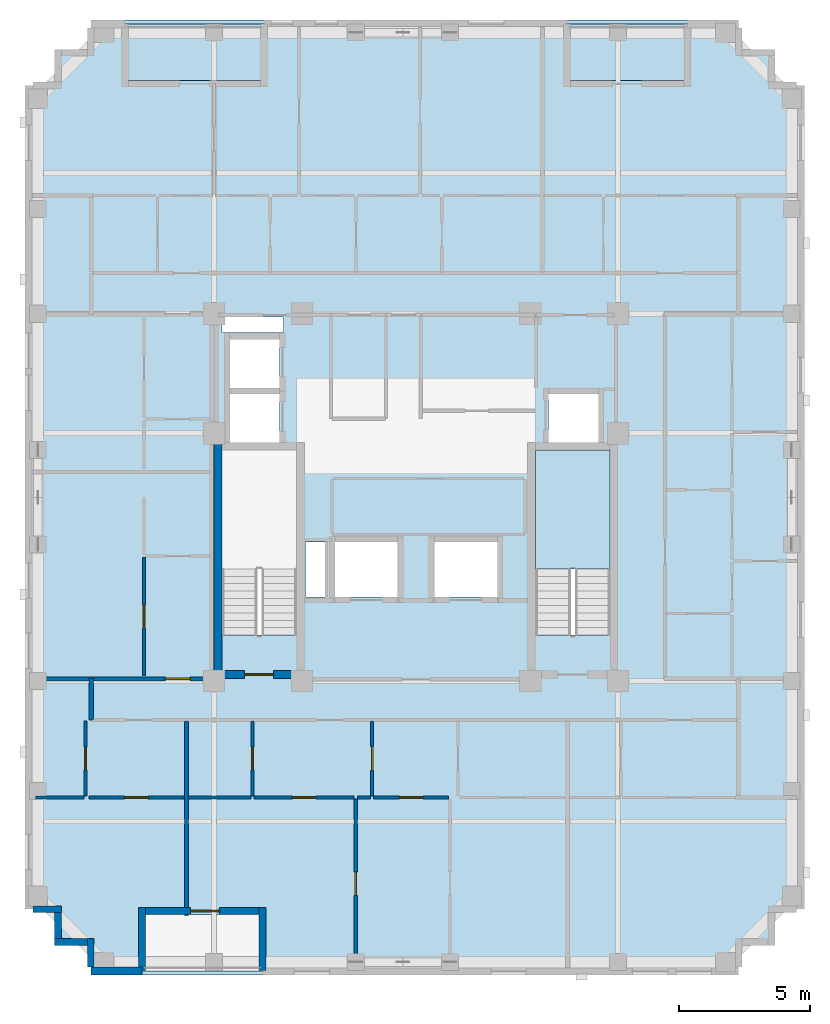
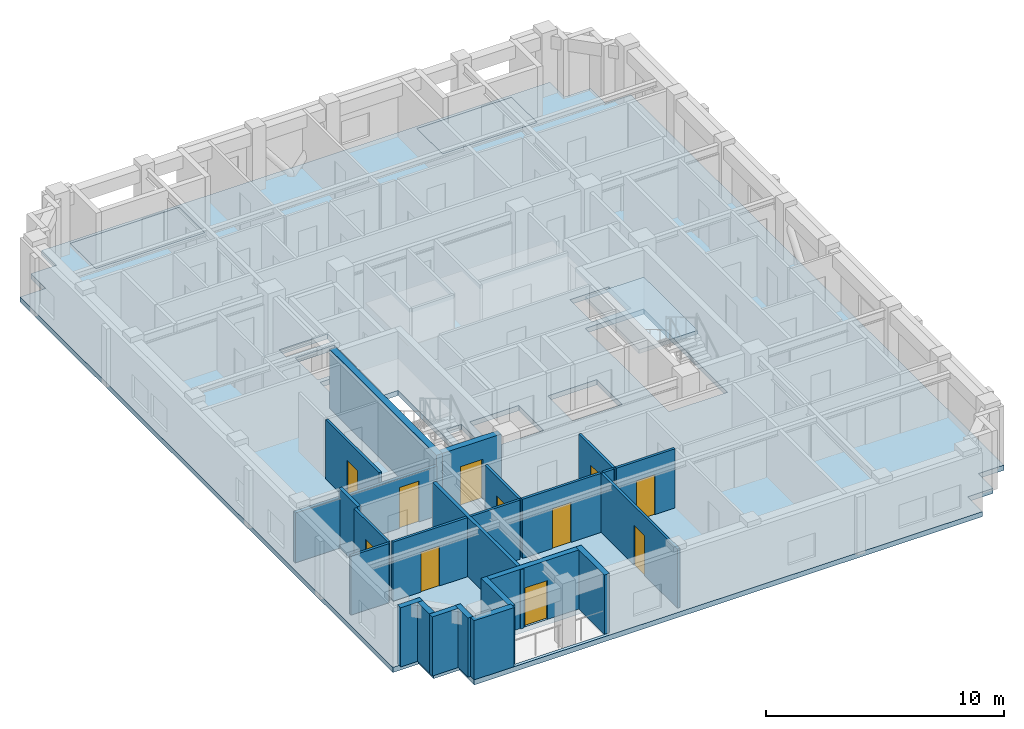
# One storey, part 2 of 10: 24 walls, 11 doors, 4 slabs, 11 openings, 1 element without a shape of its own.
"""IFC4 building model written with IfcOpenShell, lengths in metres."""

from ifc_helpers import new_model, si_unit, derived_unit, direction, frame, frame_2d, origin, place, context, subcontext, project, spatial, polyline, rectangle, outline, extrude, material, layer, layer_set, type_object, element, fill, aggregate, save


model = new_model("IFC4")

# Units and contexts
model_context = context("Model", 3, precision=1e-05, world=origin(), true_north=direction((0.0, 1.0)))
body_context = subcontext(model_context, "Body", "Model", "MODEL_VIEW")
ifc_project = project(units=[si_unit("LENGTHUNIT", "METRE"), si_unit("AREAUNIT", "SQUARE_METRE"), si_unit("VOLUMEUNIT", "CUBIC_METRE"), si_unit("PLANEANGLEUNIT", "RADIAN"), si_unit("MASSUNIT", "GRAM", prefix="KILO"), derived_unit("THERMALTRANSMITTANCEUNIT", [(si_unit("MASSUNIT", "GRAM", prefix="KILO"), 1), (si_unit("TIMEUNIT", "SECOND"), -3), (si_unit("THERMODYNAMICTEMPERATUREUNIT", "KELVIN"), -1)])], contexts=[model_context])

# Site, building, storey
site_placement = place(None, origin())
site = spatial("IfcSite", under=ifc_project, at=site_placement, CompositionType="ELEMENT")
building_placement = place(site_placement, origin())
building = spatial("IfcBuilding", under=site, at=building_placement, Name="Korrvale Station Residences", CompositionType="ELEMENT")
storey_placement = place(building_placement, frame((0.0, 0.0, 204.10009765625)))
storey = spatial("IfcBuildingStorey", under=building, at=storey_placement, Name="L59", CompositionType="ELEMENT", Elevation=204.10009765625)

# Slabs
ifc_material_1 = material(Name="Concrete C50/60", Category="concrete")
ifc_layer_1 = layer(ifc_material_1, 0.219970703125, Name="Concrete C50/60")
ifc_layer_set_1 = layer_set([ifc_layer_1], Name="Concrete C50/60")
slab_type_1 = type_object("IfcSlabType", Name="SLB-BAL-220", PredefinedType="FLOOR", material=ifc_layer_set_1)
slab_1_placement = place(storey_placement, frame((0.0, 0.0, -0.22021484375)))
element("IfcSlab", 1, at=slab_1_placement, inside=storey, type_object=slab_type_1, Name="L59 Recessed Loggia Balcony Slab BAL-L59-N1", PredefinedType="FLOOR", context=body_context, shape_type="SweptSolid", body=[
    extrude(outline(polyline([(31.25, 37.89990234375), (35.85009765625, 37.89990234375), (35.85009765625, 40.050048828125), (31.25, 40.050048828125), (31.25, 37.89990234375)])), origin(), (0.0, 0.0, 1.0), 0.22021484375),
])
slab_2_placement = place(storey_placement, frame((0.0, 0.0, -0.22021484375)))
element("IfcSlab", 2, at=slab_2_placement, inside=storey, type_object=slab_type_1, Name="L59 Recessed Loggia Balcony Slab BAL-L59-N2", PredefinedType="FLOOR", context=body_context, shape_type="SweptSolid", body=[
    extrude(outline(polyline([(14.39990234375, 37.89990234375), (19.699951171875, 37.89990234375), (19.699951171875, 40.050048828125), (14.39990234375, 40.050048828125), (14.39990234375, 37.89990234375)])), origin(), (0.0, 0.0, 1.0), 0.22021484375),
])
ifc_layer_2 = layer(ifc_material_1, 0.260009765625, Name="Concrete C50/60")
ifc_layer_set_2 = layer_set([ifc_layer_2], Name="Concrete C50/60")
slab_type_2 = type_object("IfcSlabType", Name="SLB-FLR-260", PredefinedType="FLOOR", material=ifc_layer_set_2)
slab_3_placement = place(storey_placement, frame((0.0, 0.0, -0.260009765625)))
element("IfcSlab", 3, at=slab_3_placement, inside=storey, type_object=slab_type_2, Name="L59 Suspended Structural Floor Slab", PredefinedType="FLOOR", context=body_context, shape_type="SweptSolid", body=[
    extrude(outline(polyline([(13.10009765625, 3.800048828125), (37.800048828125, 3.800048828125), (37.800048828125, 5.050048828125), (39.050048828125, 5.050048828125), (39.050048828125, 6.300048828125), (40.300048828125, 6.300048828125), (40.300048828125, 37.699951171875), (39.050048828125, 37.699951171875), (39.050048828125, 38.949951171875), (37.800048828125, 38.949951171875), (37.800048828125, 40.199951171875), (13.10009765625, 40.199951171875), (13.10009765625, 38.949951171875), (11.85009765625, 38.949951171875), (11.85009765625, 37.699951171875), (10.60009765625, 37.699951171875), (10.60009765625, 6.300048828125), (11.85009765625, 6.300048828125), (11.85009765625, 5.050048828125), (13.10009765625, 5.050048828125), (13.10009765625, 3.800048828125)]), holes=[polyline([(20.949951171875, 16.751953125), (20.949951171875, 23.800048828125), (18.10009765625, 23.800048828125), (18.10009765625, 16.751953125), (20.949951171875, 16.751953125)]), polyline([(32.89990234375, 16.751953125), (32.89990234375, 23.800048828125), (30.050048828125, 23.800048828125), (30.050048828125, 16.751953125), (32.89990234375, 16.751953125)]), polyline([(18.39990234375, 24.10009765625), (20.300048828125, 24.10009765625), (20.300048828125, 25.949951171875), (18.39990234375, 25.949951171875), (18.39990234375, 24.10009765625)]), polyline([(18.39990234375, 26.169921875), (20.300048828125, 26.169921875), (20.300048828125, 28.02001953125), (18.39990234375, 28.02001953125), (18.39990234375, 26.169921875)]), polyline([(30.550048828125, 24.10009765625), (32.449951171875, 24.10009765625), (32.449951171875, 25.949951171875), (30.550048828125, 25.949951171875), (30.550048828125, 24.10009765625)]), polyline([(22.39990234375, 18.199951171875), (24.800048828125, 18.199951171875), (24.800048828125, 20.300048828125), (22.39990234375, 20.300048828125), (22.39990234375, 18.199951171875)]), polyline([(26.199951171875, 18.199951171875), (28.60009765625, 18.199951171875), (28.60009765625, 20.300048828125), (26.199951171875, 20.300048828125), (26.199951171875, 18.199951171875)]), polyline([(18.10009765625, 28.280029296875), (20.449951171875, 28.280029296875), (20.449951171875, 28.8798828125), (18.10009765625, 28.8798828125), (18.10009765625, 28.280029296875)]), polyline([(21.280029296875, 18.199951171875), (22.02001953125, 18.199951171875), (22.02001953125, 20.300048828125), (21.280029296875, 20.300048828125), (21.280029296875, 18.199951171875)]), polyline([(15.050048828125, 3.949951171875), (19.64990234375, 3.949951171875), (19.64990234375, 6.10009765625), (15.050048828125, 6.10009765625), (15.050048828125, 3.949951171875)]), polyline([(31.25, 37.89990234375), (35.85009765625, 37.89990234375), (35.85009765625, 40.050048828125), (31.25, 40.050048828125), (31.25, 37.89990234375)]), polyline([(14.39990234375, 37.89990234375), (19.699951171875, 37.89990234375), (19.699951171875, 40.050048828125), (14.39990234375, 40.050048828125), (14.39990234375, 37.89990234375)])]), origin(), (0.0, 0.0, 1.0), 0.260009765625),
])

# Stair, slab
stair_type = type_object("IfcStairType", Name="STR-DL-1350-20R-1650", PredefinedType="HALF_TURN_STAIR", material=ifc_material_1)
stair_placement = place(storey_placement, origin())
stair = element("IfcStair", 4, at=stair_placement, inside=storey, type_object=stair_type, Name="L59 Exit Stair 2", PredefinedType="HALF_TURN_STAIR")
ifc_layer_3 = layer(ifc_material_1, 0.199951171875, Name="Concrete C50/60")
ifc_layer_set_3 = layer_set([ifc_layer_3], Name="Concrete C50/60")
slab_type_3 = type_object("IfcSlabType", Name="SLB-LND-200", PredefinedType="LANDING", material=ifc_layer_set_3)
slab_4_placement = place(storey_placement, frame((0.0, 0.0, 1.449951171875)))
slab_4 = element("IfcSlab", 5, at=slab_4_placement, type_object=slab_type_3, Name="ST-2 landing 1", PredefinedType="LANDING", context=body_context, shape_type="SweptSolid", body=[
    extrude(outline(polyline([(32.89990234375, 19.27001953125), (32.89990234375, 23.800048828125), (30.050048828125, 23.800048828125), (30.050048828125, 19.27001953125), (32.89990234375, 19.27001953125)])), origin(), (0.0, 0.0, 1.0), 0.199951171875),
])
aggregate(stair, [slab_4])

# Wall
ifc_layer_4 = layer(ifc_material_1, 0.300048828125, Name="Concrete C50/60")
ifc_layer_set_4 = layer_set([ifc_layer_4], Name="Concrete C50/60")
wall_type_1 = type_object("IfcWallType", Name="WAL-CORE-300-C50", PredefinedType="SHEAR", material=ifc_layer_set_4)
wall_1_placement = place(storey_placement, frame((17.949951171875, 15.10009765625, 0.0), z_axis=(0.0, 0.0, 1.0), x_axis=(0.0, 1.0, 0.0)))
element("IfcWall", 6, at=wall_1_placement, inside=storey, type_object=wall_type_1, Name="L59 ST-1 Core Shear Wall West", PredefinedType="SHEAR", context=body_context, shape_type="SweptSolid", body=[
    extrude(rectangle(XDim=9.0, YDim=0.300048828125, at=frame_2d((4.5, 0.0))), origin(), (0.0, 0.0, 1.0), 3.039794921875),
])

# Wall, opening, door
wall_2_placement = place(storey_placement, frame((18.10009765625, 15.25, 0.0), z_axis=(0.0, 0.0, 1.0), x_axis=(1.0, 0.0, 0.0)))
wall_2 = element("IfcWall", 7, at=wall_2_placement, inside=storey, type_object=wall_type_1, Name="L59 ST-1 Core Shear Wall South", PredefinedType="SHEAR", context=body_context, shape_type="SweptSolid", body=[
    extrude(rectangle(XDim=2.849853515625, YDim=0.300048828125, at=frame_2d((1.4248046875, 0.0))), origin(), (0.0, 0.0, 1.0), 3.039794921875),
])
opening_1_placement = place(wall_2_placement, frame((0.860107421875, 0.0, 0.0)))
opening_1 = element("IfcOpeningElement", 8, at=opening_1_placement, cuts=wall_2, Name="Opening SD-1100", PredefinedType="OPENING", context=body_context, shape_type="SweptSolid", body=[
    extrude(rectangle(XDim=1.10009765625, YDim=2.050048828125, at=frame_2d((0.550048828125, 1.02490234375))), frame((0.0, 0.16015625, 0.0), z_axis=(0.0, -1.0, 0.0), x_axis=(1.0, 0.0, 0.0)), (0.0, 0.0, 1.0), 0.320068359375),
])
ifc_material_2 = material(Name="Hollow-metal fire-rated stair door with closer", Category="steel")
door_type_1 = type_object("IfcDoorType", Name="DR-STAIR-1100", OperationType="NOTDEFINED", PredefinedType="DOOR", material=ifc_material_2)
door_1_placement = place(opening_1_placement, origin())
door_1 = element("IfcDoor", 9, at=door_1_placement, inside=storey, type_object=door_type_1, Name="L59 ST-1 Exit Stair Door", OperationType="SINGLE_SWING_LEFT", OverallHeight=2.050048828125, OverallWidth=1.10009765625, PredefinedType="DOOR", context=body_context, shape_type="SweptSolid", body=[
    extrude(rectangle(XDim=1.10009765625, YDim=2.050048828125, at=frame_2d((0.550048828125, 1.02490234375))), frame((0.0, 0.02490234375, 0.0), z_axis=(0.0, -1.0, 0.0), x_axis=(1.0, 0.0, 0.0)), (0.0, 0.0, 1.0), 0.050048828125),
])
fill(opening_1, door_1)

# Wall
ifc_material_3 = material(Name="Precast concrete C45/55", Category="concrete")
ifc_layer_5 = layer(ifc_material_3, 0.260009765625, Name="Precast concrete C45/55")
ifc_layer_set_5 = layer_set([ifc_layer_5], Name="Precast concrete C45/55")
wall_type_2 = type_object("IfcWallType", Name="WAL-EXT-LOG260", PredefinedType="SOLIDWALL", material=ifc_layer_set_5)
wall_3_placement = place(storey_placement, frame((19.64990234375, 3.9599609375, 0.0), z_axis=(0.0, 0.0, 1.0), x_axis=(0.0, 1.0, 0.0)))
element("IfcWall", 10, at=wall_3_placement, inside=storey, type_object=wall_type_2, Name="L59 Recessed Loggia Wall BAL-L59-S1-L", PredefinedType="SOLIDWALL", context=body_context, shape_type="SweptSolid", body=[
    extrude(rectangle(XDim=2.400146484375, YDim=0.260009765625, at=frame_2d((1.2001953125, 0.0))), origin(), (0.0, 0.0, 1.0), 3.039794921875),
])

# Wall, opening, door
wall_4_placement = place(storey_placement, frame((19.51611328125, 6.22998046875, 0.0), z_axis=(0.0, 0.0, 1.0), x_axis=(-1.0, 0.0, 0.0)))
wall_4 = element("IfcWall", 11, at=wall_4_placement, inside=storey, type_object=wall_type_2, Name="L59 Recessed Loggia Wall BAL-L59-S1-B", PredefinedType="SOLIDWALL", context=body_context, shape_type="SweptSolid", body=[
    extrude(rectangle(XDim=4.33203125, YDim=0.260009765625, at=frame_2d((2.166015625, 0.0))), origin(), (0.0, 0.0, 1.0), 3.039794921875),
])
opening_2_placement = place(wall_4_placement, frame((1.510009765625, 0.0, 0.0)))
opening_2 = element("IfcOpeningElement", 12, at=opening_2_placement, cuts=wall_4, Name="Opening BD-01", PredefinedType="OPENING", context=body_context, shape_type="SweptSolid", body=[
    extrude(rectangle(XDim=1.10009765625, YDim=2.0, at=frame_2d((0.550048828125, 1.0))), frame((0.0, 0.14013671875, 0.0), z_axis=(0.0, -1.0, 0.0), x_axis=(1.0, 0.0, 0.0)), (0.0, 0.0, 1.0), 0.280029296875),
])
ifc_material_4 = material(Name="Exterior thermally broken aluminium glazed balcony door", Category="aluminium")
door_type_2 = type_object("IfcDoorType", Name="DR-EXT-BAL", OperationType="NOTDEFINED", PredefinedType="DOOR", material=ifc_material_4)
door_2_placement = place(opening_2_placement, origin())
door_2 = element("IfcDoor", 13, at=door_2_placement, inside=storey, type_object=door_type_2, Name="L59 Loggia Balcony Door BAL-L59-S1", OperationType="SINGLE_SWING_LEFT", OverallHeight=2.0, OverallWidth=1.10009765625, PredefinedType="DOOR", context=body_context, shape_type="SweptSolid", body=[
    extrude(rectangle(XDim=1.10009765625, YDim=2.0, at=frame_2d((0.550048828125, 1.0))), frame((0.0, 0.02490234375, 0.0), z_axis=(0.0, -1.0, 0.0), x_axis=(1.0, 0.0, 0.0)), (0.0, 0.0, 1.0), 0.050048828125),
])
fill(opening_2, door_2)

# Walls
wall_5_placement = place(storey_placement, frame((15.050048828125, 6.360107421875, 0.0), z_axis=(0.0, 0.0, 1.0), x_axis=(0.0, -1.0, 0.0)))
element("IfcWall", 14, at=wall_5_placement, inside=storey, type_object=wall_type_2, Name="L59 Recessed Loggia Wall BAL-L59-S1-R", PredefinedType="SOLIDWALL", context=body_context, shape_type="SweptSolid", body=[
    extrude(rectangle(XDim=2.400146484375, YDim=0.260009765625, at=frame_2d((1.2001953125, 0.0))), origin(), (0.0, 0.0, 1.0), 3.039794921875),
])
wall_6_placement = place(storey_placement, frame((13.10009765625, 4.10205078125, 0.0), z_axis=(0.0, 0.0, 1.0), x_axis=(0.0, 1.0, 0.0)))
element("IfcWall", 15, at=wall_6_placement, inside=storey, type_object=wall_type_2, Name="L59 Serrated Corner Precast Step SW-1", PredefinedType="SOLIDWALL", context=body_context, shape_type="SweptSolid", body=[
    extrude(rectangle(XDim=1.077880859375, YDim=0.260009765625, at=frame_2d((0.5390625, 0.0))), origin(), (0.0, 0.0, 1.0), 3.039794921875),
])
wall_7_placement = place(storey_placement, frame((12.968017578125, 5.050048828125, 0.0), z_axis=(0.0, 0.0, 1.0), x_axis=(-1.0, 0.0, 0.0)))
element("IfcWall", 16, at=wall_7_placement, inside=storey, type_object=wall_type_2, Name="L59 Serrated Corner Precast Step SW-2", PredefinedType="SOLIDWALL", context=body_context, shape_type="SweptSolid", body=[
    extrude(rectangle(XDim=1.248046875, YDim=0.260009765625, at=frame_2d((0.6240234375, 0.0))), origin(), (0.0, 0.0, 1.0), 3.039794921875),
])
wall_8_placement = place(storey_placement, frame((11.85009765625, 5.181884765625, 0.0), z_axis=(0.0, 0.0, 1.0), x_axis=(0.0, 1.0, 0.0)))
element("IfcWall", 17, at=wall_8_placement, inside=storey, type_object=wall_type_2, Name="L59 Serrated Corner Precast Step SW-3", PredefinedType="SOLIDWALL", context=body_context, shape_type="SweptSolid", body=[
    extrude(rectangle(XDim=0.986083984375, YDim=0.260009765625, at=frame_2d((0.4931640625, 0.0))), origin(), (0.0, 0.0, 1.0), 3.039794921875),
])
wall_9_placement = place(storey_placement, frame((11.97998046875, 6.300048828125, 0.0), z_axis=(0.0, 0.0, 1.0), x_axis=(-1.0, 0.0, 0.0)))
element("IfcWall", 18, at=wall_9_placement, inside=storey, type_object=wall_type_2, Name="L59 Serrated Corner Precast Step SW-4", PredefinedType="SOLIDWALL", context=body_context, shape_type="SweptSolid", body=[
    extrude(rectangle(XDim=1.077880859375, YDim=0.260009765625, at=frame_2d((0.5390625, 0.0))), origin(), (0.0, 0.0, 1.0), 3.039794921875),
])
ifc_layer_6 = layer(ifc_material_3, 0.300048828125, Name="Precast concrete C45/55")
ifc_layer_set_6 = layer_set([ifc_layer_6], Name="Precast concrete C45/55")
wall_type_3 = type_object("IfcWallType", Name="WAL-EXT-PC300", PredefinedType="SOLIDWALL", material=ifc_layer_set_6)
wall_10_placement = place(storey_placement, frame((15.050048828125, 3.949951171875, 0.0), z_axis=(0.0, 0.0, 1.0), x_axis=(-1.0, 0.0, 0.0)))
element("IfcWall", 19, at=wall_10_placement, inside=storey, type_object=wall_type_3, Name="L59 South Exterior Precast Wall 2", PredefinedType="SOLIDWALL", context=body_context, shape_type="SweptSolid", body=[
    extrude(rectangle(XDim=1.949951171875, YDim=0.300048828125, at=frame_2d((0.97509765625, 0.0))), origin(), (0.0, 0.0, 1.0), 3.039794921875),
])

# Wall, opening, door
ifc_material_5 = material(Name="Acoustic steel-stud gypsum board partition", Category="steel")
ifc_layer_7 = layer(ifc_material_5, 0.1201171875, Name="Acoustic steel-stud gypsum board partition")
ifc_layer_set_7 = layer_set([ifc_layer_7], Name="Acoustic steel-stud gypsum board partition")
wall_type_4 = type_object("IfcWallType", Name="WAL-PART-125", PredefinedType="PARTITIONING", material=ifc_layer_set_7)
wall_11_placement = place(storey_placement, frame((12.89990234375, 10.6201171875, 0.0), z_axis=(0.0, 0.0, 1.0), x_axis=(0.0, 1.0, 0.0)))
wall_11 = element("IfcWall", 20, at=wall_11_placement, inside=storey, type_object=wall_type_4, Name="L59 Suite Partition U01-V01", PredefinedType="PARTITIONING", context=body_context, shape_type="SweptSolid", body=[
    extrude(rectangle(XDim=2.849853515625, YDim=0.1201171875, at=frame_2d((1.4248046875, 0.0))), origin(), (0.0, 0.0, 1.0), 3.039794921875),
])
opening_3_placement = place(wall_11_placement, frame((0.9951171875, 0.0, 0.0)))
opening_3 = element("IfcOpeningElement", 21, at=opening_3_placement, cuts=wall_11, Name="Opening DB-860", PredefinedType="OPENING", context=body_context, shape_type="SweptSolid", body=[
    extrude(rectangle(XDim=0.860107421875, YDim=2.050048828125, at=frame_2d((0.43017578125, 1.02490234375))), frame((0.0, 0.070068359375, 0.0), z_axis=(0.0, -1.0, 0.0), x_axis=(1.0, 0.0, 0.0)), (0.0, 0.0, 1.0), 0.14013671875),
])
ifc_material_6 = material(Name="Moisture-resistant solid-core bathroom door", Category="timber")
door_type_3 = type_object("IfcDoorType", Name="DR-BATH-860", OperationType="NOTDEFINED", PredefinedType="DOOR", material=ifc_material_6)
door_3_placement = place(opening_3_placement, origin())
door_3 = element("IfcDoor", 22, at=door_3_placement, inside=storey, type_object=door_type_3, Name="L59 Studio Apartment L59-U01 Bathroom Door", OperationType="SINGLE_SWING_LEFT", OverallHeight=2.050048828125, OverallWidth=0.860107421875, PredefinedType="DOOR", context=body_context, shape_type="SweptSolid", body=[
    extrude(rectangle(XDim=0.860107421875, YDim=2.050048828125, at=frame_2d((0.43017578125, 1.02490234375))), frame((0.0, 0.02490234375, 0.0), z_axis=(0.0, -1.0, 0.0), x_axis=(1.0, 0.0, 0.0)), (0.0, 0.0, 1.0), 0.050048828125),
])
fill(opening_3, door_3)

# Wall
wall_12_placement = place(storey_placement, frame((10.989990234375, 10.56005859375, 0.0), z_axis=(0.0, 0.0, 1.0), x_axis=(1.0, 0.0, 0.0)))
element("IfcWall", 23, at=wall_12_placement, inside=storey, type_object=wall_type_4, Name="L59 Suite Partition U01-H02", PredefinedType="PARTITIONING", context=body_context, shape_type="SweptSolid", body=[
    extrude(rectangle(XDim=1.85009765625, YDim=0.1201171875, at=frame_2d((0.925048828125, 0.0))), origin(), (0.0, 0.0, 1.0), 3.039794921875),
])

# Wall, opening, door
wall_13_placement = place(storey_placement, frame((13.030029296875, 10.56005859375, 0.0), z_axis=(0.0, 0.0, 1.0), x_axis=(1.0, 0.0, 0.0)))
wall_13 = element("IfcWall", 24, at=wall_13_placement, inside=storey, type_object=wall_type_4, Name="L59 Suite Partition U01-H12", PredefinedType="PARTITIONING", context=body_context, shape_type="SweptSolid", body=[
    extrude(rectangle(XDim=3.615966796875, YDim=0.1201171875, at=frame_2d((1.80810546875, 0.0))), origin(), (0.0, 0.0, 1.0), 3.039794921875),
])
opening_4_placement = place(wall_13_placement, frame((1.35791015625, 0.0, 0.0)))
opening_4 = element("IfcOpeningElement", 25, at=opening_4_placement, cuts=wall_13, Name="Opening DI-900", PredefinedType="OPENING", context=body_context, shape_type="SweptSolid", body=[
    extrude(rectangle(XDim=0.89990234375, YDim=2.050048828125, at=frame_2d((0.449951171875, 1.02490234375))), frame((0.0, 0.070068359375, 0.0), z_axis=(0.0, -1.0, 0.0), x_axis=(1.0, 0.0, 0.0)), (0.0, 0.0, 1.0), 0.14013671875),
])
ifc_material_7 = material(Name="Painted solid-core timber interior room door", Category="wood")
door_type_4 = type_object("IfcDoorType", Name="DR-INT-900", OperationType="NOTDEFINED", PredefinedType="DOOR", material=ifc_material_7)
door_4_placement = place(opening_4_placement, origin())
door_4 = element("IfcDoor", 26, at=door_4_placement, inside=storey, type_object=door_type_4, Name="L59 Studio Apartment L59-U01 Kitchen Door", OperationType="SINGLE_SWING_RIGHT", OverallHeight=2.050048828125, OverallWidth=0.89990234375, PredefinedType="DOOR", context=body_context, shape_type="SweptSolid", body=[
    extrude(rectangle(XDim=0.89990234375, YDim=2.050048828125, at=frame_2d((0.449951171875, 1.02490234375))), frame((0.0, 0.02490234375, 0.0), z_axis=(0.0, -1.0, 0.0), x_axis=(1.0, 0.0, 0.0)), (0.0, 0.0, 1.0), 0.050048828125),
])
fill(opening_4, door_4)

wall_14_placement = place(storey_placement, frame((19.26611328125, 10.6201171875, 0.0), z_axis=(0.0, 0.0, 1.0), x_axis=(0.0, 1.0, 0.0)))
wall_14 = element("IfcWall", 27, at=wall_14_placement, inside=storey, type_object=wall_type_4, Name="L59 Suite Partition U02-V01", PredefinedType="PARTITIONING", context=body_context, shape_type="SweptSolid", body=[
    extrude(rectangle(XDim=2.849853515625, YDim=0.1201171875, at=frame_2d((1.4248046875, 0.0))), origin(), (0.0, 0.0, 1.0), 3.039794921875),
])
opening_5_placement = place(wall_14_placement, frame((0.9951171875, 0.0, 0.0)))
opening_5 = element("IfcOpeningElement", 28, at=opening_5_placement, cuts=wall_14, Name="Opening DB-860", PredefinedType="OPENING", context=body_context, shape_type="SweptSolid", body=[
    extrude(rectangle(XDim=0.860107421875, YDim=2.050048828125, at=frame_2d((0.43017578125, 1.02490234375))), frame((0.0, 0.070068359375, 0.0), z_axis=(0.0, -1.0, 0.0), x_axis=(1.0, 0.0, 0.0)), (0.0, 0.0, 1.0), 0.14013671875),
])
door_5_placement = place(opening_5_placement, origin())
door_5 = element("IfcDoor", 29, at=door_5_placement, inside=storey, type_object=door_type_3, Name="L59 Apartment 1BR L59-U02 Bathroom Door", OperationType="SINGLE_SWING_LEFT", OverallHeight=2.050048828125, OverallWidth=0.860107421875, PredefinedType="DOOR", context=body_context, shape_type="SweptSolid", body=[
    extrude(rectangle(XDim=0.860107421875, YDim=2.050048828125, at=frame_2d((0.43017578125, 1.02490234375))), frame((0.0, 0.02490234375, 0.0), z_axis=(0.0, -1.0, 0.0), x_axis=(1.0, 0.0, 0.0)), (0.0, 0.0, 1.0), 0.050048828125),
])
fill(opening_5, door_5)

# Wall
wall_15_placement = place(storey_placement, frame((16.805908203125, 10.56005859375, 0.0), z_axis=(0.0, 0.0, 1.0), x_axis=(1.0, 0.0, 0.0)))
element("IfcWall", 30, at=wall_15_placement, inside=storey, type_object=wall_type_4, Name="L59 Suite Partition U02-H04", PredefinedType="PARTITIONING", context=body_context, shape_type="SweptSolid", body=[
    extrude(rectangle(XDim=2.400146484375, YDim=0.1201171875, at=frame_2d((1.2001953125, 0.0))), origin(), (0.0, 0.0, 1.0), 3.039794921875),
])

# Wall, opening, door
wall_16_placement = place(storey_placement, frame((23.825927734375, 10.6201171875, 0.0), z_axis=(0.0, 0.0, 1.0), x_axis=(0.0, 1.0, 0.0)))
wall_16 = element("IfcWall", 31, at=wall_16_placement, inside=storey, type_object=wall_type_4, Name="L59 Suite Partition U02-V12", PredefinedType="PARTITIONING", context=body_context, shape_type="SweptSolid", body=[
    extrude(rectangle(XDim=2.849853515625, YDim=0.1201171875, at=frame_2d((1.4248046875, 0.0))), origin(), (0.0, 0.0, 1.0), 3.039794921875),
])
opening_6_placement = place(wall_16_placement, frame((0.97509765625, 0.0, 0.0)))
opening_6 = element("IfcOpeningElement", 32, at=opening_6_placement, cuts=wall_16, Name="Opening DI-900", PredefinedType="OPENING", context=body_context, shape_type="SweptSolid", body=[
    extrude(rectangle(XDim=0.89990234375, YDim=2.050048828125, at=frame_2d((0.449951171875, 1.02490234375))), frame((0.0, 0.070068359375, 0.0), z_axis=(0.0, -1.0, 0.0), x_axis=(1.0, 0.0, 0.0)), (0.0, 0.0, 1.0), 0.14013671875),
])
door_6_placement = place(opening_6_placement, origin())
door_6 = element("IfcDoor", 33, at=door_6_placement, inside=storey, type_object=door_type_4, Name="L59 Apartment 1BR L59-U02 Kitchen Door", OperationType="SINGLE_SWING_RIGHT", OverallHeight=2.050048828125, OverallWidth=0.89990234375, PredefinedType="DOOR", context=body_context, shape_type="SweptSolid", body=[
    extrude(rectangle(XDim=0.89990234375, YDim=2.050048828125, at=frame_2d((0.449951171875, 1.02490234375))), frame((0.0, 0.02490234375, 0.0), z_axis=(0.0, -1.0, 0.0), x_axis=(1.0, 0.0, 0.0)), (0.0, 0.0, 1.0), 0.050048828125),
])
fill(opening_6, door_6)

wall_17_placement = place(storey_placement, frame((19.325927734375, 10.56005859375, 0.0), z_axis=(0.0, 0.0, 1.0), x_axis=(1.0, 0.0, 0.0)))
wall_17 = element("IfcWall", 34, at=wall_17_placement, inside=storey, type_object=wall_type_4, Name="L59 Suite Partition U02-H14", PredefinedType="PARTITIONING", context=body_context, shape_type="SweptSolid", body=[
    extrude(rectangle(XDim=3.81396484375, YDim=0.1201171875, at=frame_2d((1.906982421875, 0.0))), origin(), (0.0, 0.0, 1.0), 3.039794921875),
])
opening_7_placement = place(wall_17_placement, frame((1.45703125, 0.0, 0.0)))
opening_7 = element("IfcOpeningElement", 35, at=opening_7_placement, cuts=wall_17, Name="Opening DI-900", PredefinedType="OPENING", context=body_context, shape_type="SweptSolid", body=[
    extrude(rectangle(XDim=0.89990234375, YDim=2.050048828125, at=frame_2d((0.449951171875, 1.02490234375))), frame((0.0, 0.070068359375, 0.0), z_axis=(0.0, -1.0, 0.0), x_axis=(1.0, 0.0, 0.0)), (0.0, 0.0, 1.0), 0.14013671875),
])
door_7_placement = place(opening_7_placement, origin())
door_7 = element("IfcDoor", 36, at=door_7_placement, inside=storey, type_object=door_type_4, Name="L59 Apartment 1BR L59-U02 Kitchen Door", OperationType="SINGLE_SWING_LEFT", OverallHeight=2.050048828125, OverallWidth=0.89990234375, PredefinedType="DOOR", context=body_context, shape_type="SweptSolid", body=[
    extrude(rectangle(XDim=0.89990234375, YDim=2.050048828125, at=frame_2d((0.449951171875, 1.02490234375))), frame((0.0, 0.02490234375, 0.0), z_axis=(0.0, -1.0, 0.0), x_axis=(1.0, 0.0, 0.0)), (0.0, 0.0, 1.0), 0.050048828125),
])
fill(opening_7, door_7)

# Wall
wall_18_placement = place(storey_placement, frame((23.260009765625, 10.56005859375, 0.0), z_axis=(0.0, 0.0, 1.0), x_axis=(1.0, 0.0, 0.0)))
element("IfcWall", 37, at=wall_18_placement, inside=storey, type_object=wall_type_4, Name="L59 Suite Partition U02-H15", PredefinedType="PARTITIONING", context=body_context, shape_type="SweptSolid", body=[
    extrude(rectangle(XDim=0.506103515625, YDim=0.1201171875, at=frame_2d((0.2529296875, 0.0))), origin(), (0.0, 0.0, 1.0), 3.039794921875),
])

# Wall, opening, door
wall_19_placement = place(storey_placement, frame((23.885986328125, 10.56005859375, 0.0), z_axis=(0.0, 0.0, 1.0), x_axis=(1.0, 0.0, 0.0)))
wall_19 = element("IfcWall", 38, at=wall_19_placement, inside=storey, type_object=wall_type_4, Name="L59 Suite Partition U02-H25", PredefinedType="PARTITIONING", context=body_context, shape_type="SweptSolid", body=[
    extrude(rectangle(XDim=2.85400390625, YDim=0.1201171875, at=frame_2d((1.427001953125, 0.0))), origin(), (0.0, 0.0, 1.0), 3.039794921875),
])
opening_8_placement = place(wall_19_placement, frame((0.97705078125, 0.0, 0.0)))
opening_8 = element("IfcOpeningElement", 39, at=opening_8_placement, cuts=wall_19, Name="Opening DI-900", PredefinedType="OPENING", context=body_context, shape_type="SweptSolid", body=[
    extrude(rectangle(XDim=0.89990234375, YDim=2.050048828125, at=frame_2d((0.449951171875, 1.02490234375))), frame((0.0, 0.070068359375, 0.0), z_axis=(0.0, -1.0, 0.0), x_axis=(1.0, 0.0, 0.0)), (0.0, 0.0, 1.0), 0.14013671875),
])
door_8_placement = place(opening_8_placement, origin())
door_8 = element("IfcDoor", 40, at=door_8_placement, inside=storey, type_object=door_type_4, Name="L59 Apartment 1BR L59-U02 Home Study Room Door", OperationType="SINGLE_SWING_LEFT", OverallHeight=2.050048828125, OverallWidth=0.89990234375, PredefinedType="DOOR", context=body_context, shape_type="SweptSolid", body=[
    extrude(rectangle(XDim=0.89990234375, YDim=2.050048828125, at=frame_2d((0.449951171875, 1.02490234375))), frame((0.0, 0.02490234375, 0.0), z_axis=(0.0, -1.0, 0.0), x_axis=(1.0, 0.0, 0.0)), (0.0, 0.0, 1.0), 0.050048828125),
])
fill(opening_8, door_8)

wall_20_placement = place(storey_placement, frame((23.199951171875, 4.080078125, 0.0), z_axis=(0.0, 0.0, 1.0), x_axis=(0.0, 1.0, 0.0)))
wall_20 = element("IfcWall", 41, at=wall_20_placement, inside=storey, type_object=wall_type_4, Name="L59 Suite Partition U02-V45", PredefinedType="PARTITIONING", context=body_context, shape_type="SweptSolid", body=[
    extrude(rectangle(XDim=6.419921875, YDim=0.1201171875, at=frame_2d((3.2099609375, 0.0))), origin(), (0.0, 0.0, 1.0), 3.039794921875),
])
opening_9_placement = place(wall_20_placement, frame((2.7451171875, 0.0, 0.0)))
opening_9 = element("IfcOpeningElement", 42, at=opening_9_placement, cuts=wall_20, Name="Opening DI-900", PredefinedType="OPENING", context=body_context, shape_type="SweptSolid", body=[
    extrude(rectangle(XDim=0.89990234375, YDim=2.050048828125, at=frame_2d((0.449951171875, 1.02490234375))), frame((0.0, 0.070068359375, 0.0), z_axis=(0.0, -1.0, 0.0), x_axis=(1.0, 0.0, 0.0)), (0.0, 0.0, 1.0), 0.14013671875),
])
door_9_placement = place(opening_9_placement, origin())
door_9 = element("IfcDoor", 43, at=door_9_placement, inside=storey, type_object=door_type_4, Name="L59 Apartment 1BR L59-U02 Living and Dining Room Door", OperationType="SINGLE_SWING_LEFT", OverallHeight=2.050048828125, OverallWidth=0.89990234375, PredefinedType="DOOR", context=body_context, shape_type="SweptSolid", body=[
    extrude(rectangle(XDim=0.89990234375, YDim=2.050048828125, at=frame_2d((0.449951171875, 1.02490234375))), frame((0.0, 0.02490234375, 0.0), z_axis=(0.0, -1.0, 0.0), x_axis=(1.0, 0.0, 0.0)), (0.0, 0.0, 1.0), 0.050048828125),
])
fill(opening_9, door_9)

wall_21_placement = place(storey_placement, frame((15.1298828125, 15.2099609375, 0.0), z_axis=(0.0, 0.0, 1.0), x_axis=(0.0, 1.0, 0.0)))
wall_21 = element("IfcWall", 44, at=wall_21_placement, inside=storey, type_object=wall_type_4, Name="L59 Suite Partition U06-V12", PredefinedType="PARTITIONING", context=body_context, shape_type="SweptSolid", body=[
    extrude(rectangle(XDim=4.5, YDim=0.1201171875, at=frame_2d((2.25, 0.0))), origin(), (0.0, 0.0, 1.0), 3.039794921875),
])
opening_10_placement = place(wall_21_placement, frame((1.800048828125, 0.0, 0.0)))
opening_10 = element("IfcOpeningElement", 45, at=opening_10_placement, cuts=wall_21, Name="Opening DI-900", PredefinedType="OPENING", context=body_context, shape_type="SweptSolid", body=[
    extrude(rectangle(XDim=0.89990234375, YDim=2.050048828125, at=frame_2d((0.449951171875, 1.02490234375))), frame((0.0, 0.070068359375, 0.0), z_axis=(0.0, -1.0, 0.0), x_axis=(1.0, 0.0, 0.0)), (0.0, 0.0, 1.0), 0.14013671875),
])
door_10_placement = place(opening_10_placement, origin())
door_10 = element("IfcDoor", 46, at=door_10_placement, inside=storey, type_object=door_type_4, Name="L59 Apartment 1BR L59-U06 Kitchen Door", OperationType="SINGLE_SWING_LEFT", OverallHeight=2.050048828125, OverallWidth=0.89990234375, PredefinedType="DOOR", context=body_context, shape_type="SweptSolid", body=[
    extrude(rectangle(XDim=0.89990234375, YDim=2.050048828125, at=frame_2d((0.449951171875, 1.02490234375))), frame((0.0, 0.02490234375, 0.0), z_axis=(0.0, -1.0, 0.0), x_axis=(1.0, 0.0, 0.0)), (0.0, 0.0, 1.0), 0.050048828125),
])
fill(opening_10, door_10)

# Walls
ifc_material_8 = material(Name="Fire-rated twin-stud gypsum and mineral wool shaftwall assembly", Category="gypsum")
ifc_layer_8 = layer(ifc_material_8, 0.159912109375, Name="Fire-rated twin-stud gypsum and mineral wool shaftwall assembly")
ifc_layer_set_8 = layer_set([ifc_layer_8], Name="Fire-rated twin-stud gypsum and mineral wool shaftwall assembly")
wall_type_5 = type_object("IfcWallType", Name="WAL-PART-200", PredefinedType="PARTITIONING", material=ifc_layer_set_8)
wall_22_placement = place(storey_placement, frame((13.1201171875, 13.510009765625, 0.0), z_axis=(0.0, 0.0, 1.0), x_axis=(0.0, 1.0, 0.0)))
element("IfcWall", 47, at=wall_22_placement, inside=storey, type_object=wall_type_5, Name="L59 Corridor South West Cap", PredefinedType="PARTITIONING", context=body_context, shape_type="SweptSolid", body=[
    extrude(rectangle(XDim=1.580078125, YDim=0.159912109375, at=frame_2d((0.7900390625, 0.0))), origin(), (0.0, 0.0, 1.0), 3.039794921875),
])
wall_23_placement = place(storey_placement, frame((16.74609375, 6.06005859375, 0.0), z_axis=(0.0, 0.0, 1.0), x_axis=(0.0, 1.0, 0.0)))
element("IfcWall", 48, at=wall_23_placement, inside=storey, type_object=wall_type_5, Name="L59 Demising Wall U02-W", PredefinedType="PARTITIONING", context=body_context, shape_type="SweptSolid", body=[
    extrude(rectangle(XDim=7.409912109375, YDim=0.159912109375, at=frame_2d((3.705078125, 0.0))), origin(), (0.0, 0.0, 1.0), 3.039794921875),
])

# Wall, opening, door
wall_24_placement = place(storey_placement, frame((10.8798828125, 15.080078125, 0.0), z_axis=(0.0, 0.0, 1.0), x_axis=(1.0, 0.0, 0.0)))
wall_24 = element("IfcWall", 49, at=wall_24_placement, inside=storey, type_object=wall_type_5, Name="L59 Side Suite South Entry Wall U06", PredefinedType="PARTITIONING", context=body_context, shape_type="SweptSolid", body=[
    extrude(rectangle(XDim=6.880126953125, YDim=0.159912109375, at=frame_2d((3.43994140625, 0.0))), origin(), (0.0, 0.0, 1.0), 2.555908203125),
])
opening_11_placement = place(wall_24_placement, frame((5.06005859375, 0.0, 0.0)))
opening_11 = element("IfcOpeningElement", 50, at=opening_11_placement, cuts=wall_24, Name="Opening UD-950", PredefinedType="OPENING", context=body_context, shape_type="SweptSolid", body=[
    extrude(rectangle(XDim=0.949951171875, YDim=2.10009765625, at=frame_2d((0.47509765625, 1.050048828125))), frame((0.0, 0.08984375, 0.0), z_axis=(0.0, -1.0, 0.0), x_axis=(1.0, 0.0, 0.0)), (0.0, 0.0, 1.0), 0.179931640625),
])
ifc_material_9 = material(Name="Solid-core acoustic oak apartment entrance door", Category="timber")
door_type_5 = type_object("IfcDoorType", Name="DR-UNIT-950", OperationType="NOTDEFINED", PredefinedType="DOOR", material=ifc_material_9)
door_11_placement = place(opening_11_placement, origin())
door_11 = element("IfcDoor", 51, at=door_11_placement, inside=storey, type_object=door_type_5, Name="L59 Apartment L59-U06 Entrance Door", OperationType="SINGLE_SWING_LEFT", OverallHeight=2.10009765625, OverallWidth=0.949951171875, PredefinedType="DOOR", context=body_context, shape_type="SweptSolid", body=[
    extrude(rectangle(XDim=0.949951171875, YDim=2.10009765625, at=frame_2d((0.47509765625, 1.050048828125))), frame((0.0, 0.02490234375, 0.0), z_axis=(0.0, -1.0, 0.0), x_axis=(1.0, 0.0, 0.0)), (0.0, 0.0, 1.0), 0.050048828125),
])
fill(opening_11, door_11)

save(model, "model.ifc")
